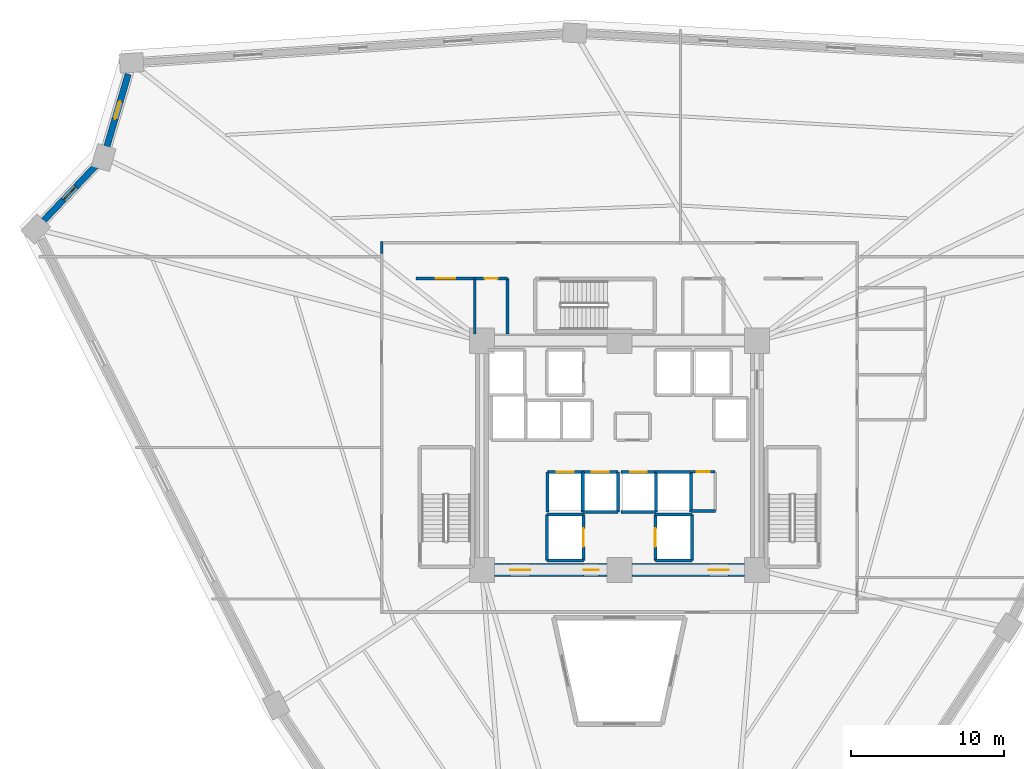
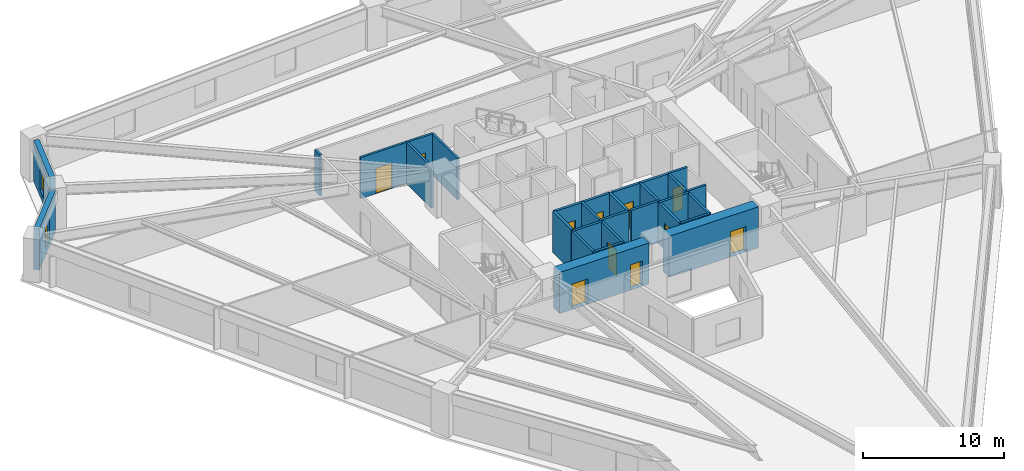
# One storey, part 4 of 8: 30 walls, 11 doors, 2 windows, 13 openings.
"""IFC4 building model written with IfcOpenShell, lengths in metres."""

from ifc_helpers import new_model, si_unit, direction, frame, frame_2d, origin, place, context, subcontext, project, spatial, rectangle, extrude, source, transform, mapped, material, layer, layer_set, type_object, element, fill, save


model = new_model("IFC4")

# Units and contexts
model_context = context("Model", 3, precision=1e-05, world=origin(), true_north=direction((0.0, 1.0)))
body_context = subcontext(model_context, "Body", "Model", "MODEL_VIEW")
ifc_project = project(units=[si_unit("LENGTHUNIT", "METRE"), si_unit("AREAUNIT", "SQUARE_METRE"), si_unit("VOLUMEUNIT", "CUBIC_METRE"), si_unit("PLANEANGLEUNIT", "RADIAN"), si_unit("MASSUNIT", "GRAM", prefix="KILO")], contexts=[model_context])

# Site, building, storey
site_placement = place(None, origin())
site = spatial("IfcSite", under=ifc_project, at=site_placement, CompositionType="ELEMENT")
building_placement = place(site_placement, origin())
building = spatial("IfcBuilding", under=site, at=building_placement, Name="Liaohun Quay Tower", CompositionType="ELEMENT")
storey_placement = place(building_placement, frame((0.0, 0.0, 66.75)))
storey = spatial("IfcBuildingStorey", under=building, at=storey_placement, Name="L17", CompositionType="ELEMENT", Elevation=66.75)

# Wall, opening, door
ifc_material_1 = material(Name="Concrete C60", Category="concrete")
ifc_layer_1 = layer(ifc_material_1, 0.85009765625, Name="Concrete C60", Category="concrete")
ifc_layer_set_1 = layer_set([ifc_layer_1], Name="Concrete C60")
wall_type_1 = type_object("IfcWallType", Name="WAL-COR-Z1", PredefinedType="SHEAR", material=ifc_layer_set_1)
wall_1_placement = place(storey_placement, frame((68.175048828125, 46.5, 0.0), z_axis=(0.0, 0.0, 1.0), x_axis=(-1.0, 0.0, 0.0)))
wall_1 = element("IfcWall", 1, at=wall_1_placement, inside=storey, type_object=wall_type_1, Name="L17 Central Core Shear Wall S-E", PredefinedType="SHEAR", context=body_context, shape_type="SweptSolid", body=[
    extrude(rectangle(XDim=7.35009765625, YDim=0.85009765625, at=frame_2d((3.675048828125, 0.0))), origin(), (0.0, 0.0, 1.0), 3.570068359375),
])
shared_shape_1 = source(origin(), body_context, "Body", "SweptSolid", [
    extrude(rectangle(XDim=1.300048828125, YDim=2.199951171875, at=frame_2d((0.64990234375, 1.10009765625))), frame((0.0, 0.43505859375, 0.0), z_axis=(0.0, -1.0, 0.0), x_axis=(1.0, 0.0, 0.0)), (0.0, 0.0, 1.0), 0.8701171875),
])
opening_1_placement = place(wall_1_placement, frame((1.02490234375, 0.0, 0.0)))
opening_1 = element("IfcOpeningElement", 2, at=opening_1_placement, cuts=wall_1, Name="Opening FD1", PredefinedType="OPENING", context=body_context, shape_type="MappedRepresentation", body=[
    mapped(shared_shape_1, transform((0.0, 0.0, 0.0), x_axis=(1.0, 0.0, 0.0), y_axis=(0.0, 1.0, 0.0), z_axis=(0.0, 0.0, 1.0), scale=1.0)),
])
ifc_material_2 = material(Name="Galvanised steel smokeproof fire door", Category="steel")
door_type_1 = type_object("IfcDoorType", Name="DOR-FFL-1300", OperationType="NOTDEFINED", PredefinedType="DOOR", material=ifc_material_2)
shared_shape_2 = source(origin(), body_context, "Body", "SweptSolid", [
    extrude(rectangle(XDim=1.300048828125, YDim=2.199951171875, at=frame_2d((0.64990234375, 1.10009765625))), frame((0.0, 0.02490234375, 0.0), z_axis=(0.0, -1.0, 0.0), x_axis=(1.0, 0.0, 0.0)), (0.0, 0.0, 1.0), 0.050048828125),
])
door_1_placement = place(opening_1_placement, origin())
door_1 = element("IfcDoor", 3, at=door_1_placement, inside=storey, type_object=door_type_1, Name="L17 East Core Lift Lobby Smokeproof Door", OperationType="SINGLE_SWING_LEFT", OverallHeight=2.199951171875, OverallWidth=1.300048828125, PredefinedType="DOOR", context=body_context, shape_type="MappedRepresentation", body=[
    mapped(shared_shape_2, transform((0.0, 0.0, 0.0), x_axis=(1.0, 0.0, 0.0), y_axis=(0.0, 1.0, 0.0), z_axis=(0.0, 0.0, 1.0), scale=1.0)),
])
fill(opening_1, door_1)

# Wall, openings, doors
wall_2_placement = place(storey_placement, frame((59.175048828125, 46.5, 0.0), z_axis=(0.0, 0.0, 1.0), x_axis=(-1.0, 0.0, 0.0)))
wall_2 = element("IfcWall", 4, at=wall_2_placement, inside=storey, type_object=wall_type_1, Name="L17 Central Core Shear Wall S-W", PredefinedType="SHEAR", context=body_context, shape_type="SweptSolid", body=[
    extrude(rectangle(XDim=7.35009765625, YDim=0.85009765625, at=frame_2d((3.675048828125, 0.0))), origin(), (0.0, 0.0, 1.0), 3.570068359375),
])
opening_2_placement = place(wall_2_placement, frame((5.02490234375, 0.0, 0.0)))
opening_2 = element("IfcOpeningElement", 5, at=opening_2_placement, cuts=wall_2, Name="Opening FD1", PredefinedType="OPENING", context=body_context, shape_type="MappedRepresentation", body=[
    mapped(shared_shape_1, transform((0.0, 0.0, 0.0), x_axis=(1.0, 0.0, 0.0), y_axis=(0.0, 1.0, 0.0), z_axis=(0.0, 0.0, 1.0), scale=1.0)),
])
shared_shape_3 = source(origin(), body_context, "Body", "SweptSolid", [
    extrude(rectangle(XDim=1.0, YDim=2.199951171875, at=frame_2d((0.5, 1.10009765625))), frame((0.0, 0.43505859375, 0.0), z_axis=(0.0, -1.0, 0.0), x_axis=(1.0, 0.0, 0.0)), (0.0, 0.0, 1.0), 0.8701171875),
])
opening_3_placement = place(wall_2_placement, frame((0.52490234375, 0.0, 0.0)))
opening_3 = element("IfcOpeningElement", 6, at=opening_3_placement, cuts=wall_2, Name="Opening FD2", PredefinedType="OPENING", context=body_context, shape_type="MappedRepresentation", body=[
    mapped(shared_shape_3, transform((0.0, 0.0, 0.0), x_axis=(1.0, 0.0, 0.0), y_axis=(0.0, 1.0, 0.0), z_axis=(0.0, 0.0, 1.0), scale=1.0)),
])
door_2_placement = place(opening_2_placement, origin())
door_2 = element("IfcDoor", 7, at=door_2_placement, inside=storey, type_object=door_type_1, Name="L17 West Core Lift Lobby Smokeproof Door", OperationType="SINGLE_SWING_RIGHT", OverallHeight=2.199951171875, OverallWidth=1.300048828125, PredefinedType="DOOR", context=body_context, shape_type="MappedRepresentation", body=[
    mapped(shared_shape_2, transform((0.0, 0.0, 0.0), x_axis=(1.0, 0.0, 0.0), y_axis=(0.0, 1.0, 0.0), z_axis=(0.0, 0.0, 1.0), scale=1.0)),
])
fill(opening_2, door_2)
ifc_material_3 = material(Name="Galvanised steel smokeproof lobby fire door", Category="steel")
door_type_2 = type_object("IfcDoorType", Name="DOR-FFL-1000", OperationType="NOTDEFINED", PredefinedType="DOOR", material=ifc_material_3)
shared_shape_4 = source(origin(), body_context, "Body", "SweptSolid", [
    extrude(rectangle(XDim=1.0, YDim=2.199951171875, at=frame_2d((0.5, 1.10009765625))), frame((0.0, 0.02490234375, 0.0), z_axis=(0.0, -1.0, 0.0), x_axis=(1.0, 0.0, 0.0)), (0.0, 0.0, 1.0), 0.050048828125),
])
door_3_placement = place(opening_3_placement, origin())
door_3 = element("IfcDoor", 8, at=door_3_placement, inside=storey, type_object=door_type_2, Name="L17 South Firefighting Lobby Smokeproof Door", OperationType="SINGLE_SWING_LEFT", OverallHeight=2.199951171875, OverallWidth=1.0, PredefinedType="DOOR", context=body_context, shape_type="MappedRepresentation", body=[
    mapped(shared_shape_4, transform((0.0, 0.0, 0.0), x_axis=(1.0, 0.0, 0.0), y_axis=(0.0, 1.0, 0.0), z_axis=(0.0, 0.0, 1.0), scale=1.0)),
])
fill(opening_3, door_3)

# Wall, opening, window
ifc_material_4 = material(Name="Precast concrete C50 insulated sandwich", Category="concrete")
ifc_layer_2 = layer(ifc_material_4, 0.419921875, Name="Precast concrete C50 insulated sandwich", Category="concrete")
ifc_layer_set_2 = layer_set([ifc_layer_2], Name="Precast concrete C50 insulated sandwich")
wall_type_2 = type_object("IfcWallType", Name="WAL-EXT-Z12", PredefinedType="SOLIDWALL", material=ifc_layer_set_2)
wall_3_placement = place(storey_placement, frame((27.85205078125, 78.950927734375, 0.0), z_axis=(0.0, 0.0, 1.0), x_axis=(-0.282877012636, -0.95915618943, 0.0)))
wall_3 = element("IfcWall", 9, at=wall_3_placement, inside=storey, type_object=wall_type_2, Name="L17 Brutalist Precast Pier Wall 08", PredefinedType="SOLIDWALL", context=body_context, shape_type="SweptSolid", body=[
    extrude(rectangle(XDim=4.927978515625, YDim=0.419921875, at=frame_2d((2.4638671875, 0.0))), origin(), (0.0, 0.0, 1.0), 3.570068359375),
])
shared_shape_5 = source(origin(), body_context, "Body", "SweptSolid", [
    extrude(rectangle(XDim=1.199951171875, YDim=1.89990234375, at=frame_2d((0.60009765625, 0.949951171875))), frame((0.0, 0.219970703125, 0.0), z_axis=(0.0, -1.0, 0.0), x_axis=(1.0, 0.0, 0.0)), (0.0, 0.0, 1.0), 0.43994140625),
])
opening_4_placement = place(wall_3_placement, frame((1.864013671875, 0.0, 0.550048828125)))
opening_4 = element("IfcOpeningElement", 10, at=opening_4_placement, cuts=wall_3, Name="Opening W05", PredefinedType="OPENING", context=body_context, shape_type="MappedRepresentation", body=[
    mapped(shared_shape_5, transform((0.0, 0.0, 0.0), x_axis=(1.0, 0.0, 0.0), y_axis=(0.0, 1.0, 0.0), z_axis=(0.0, 0.0, 1.0), scale=1.0)),
])
ifc_material_5 = material(Name="Triple Low-E corner notch glazing", Category="glass")
window_type = type_object("IfcWindowType", Name="WIN-NOTCH", PartitioningType="SINGLE_PANEL", PredefinedType="WINDOW", material=ifc_material_5)
shared_shape_6 = source(origin(), body_context, "Body", "SweptSolid", [
    extrude(rectangle(XDim=1.199951171875, YDim=1.89990234375, at=frame_2d((0.60009765625, 0.949951171875))), frame((0.0, 0.030029296875, 0.0), z_axis=(0.0, -1.0, 0.0), x_axis=(1.0, 0.0, 0.0)), (0.0, 0.0, 1.0), 0.06005859375),
])
window_1_placement = place(opening_4_placement, origin())
window_1 = element("IfcWindow", 11, at=window_1_placement, inside=storey, type_object=window_type, Name="L17 Corner Notch Window W05-08", OverallHeight=1.89990234375, OverallWidth=1.199951171875, PartitioningType="SINGLE_PANEL", PredefinedType="WINDOW", context=body_context, shape_type="MappedRepresentation", body=[
    mapped(shared_shape_6, transform((0.0, 0.0, 0.0), x_axis=(1.0, 0.0, 0.0), y_axis=(0.0, 1.0, 0.0), z_axis=(0.0, 0.0, 1.0), scale=1.0)),
])
fill(opening_4, window_1)

wall_4_placement = place(storey_placement, frame((25.715087890625, 72.93603515625, 0.0), z_axis=(0.0, 0.0, 1.0), x_axis=(-0.689226469502, -0.724545977656, 0.0)))
wall_4 = element("IfcWall", 12, at=wall_4_placement, inside=storey, type_object=wall_type_2, Name="L17 Brutalist Precast Pier Wall 09", PredefinedType="SOLIDWALL", context=body_context, shape_type="SweptSolid", body=[
    extrude(rectangle(XDim=4.921630859375, YDim=0.419921875, at=frame_2d((2.4609375, 0.0))), origin(), (0.0, 0.0, 1.0), 3.570068359375),
])
opening_5_placement = place(wall_4_placement, frame((1.861083984375, 0.0, 0.550048828125)))
opening_5 = element("IfcOpeningElement", 13, at=opening_5_placement, cuts=wall_4, Name="Opening W05", PredefinedType="OPENING", context=body_context, shape_type="MappedRepresentation", body=[
    mapped(shared_shape_5, transform((0.0, 0.0, 0.0), x_axis=(1.0, 0.0, 0.0), y_axis=(0.0, 1.0, 0.0), z_axis=(0.0, 0.0, 1.0), scale=1.0)),
])
window_2_placement = place(opening_5_placement, origin())
window_2 = element("IfcWindow", 14, at=window_2_placement, inside=storey, type_object=window_type, Name="L17 Corner Notch Window W05-09", OverallHeight=1.89990234375, OverallWidth=1.199951171875, PartitioningType="SINGLE_PANEL", PredefinedType="WINDOW", context=body_context, shape_type="MappedRepresentation", body=[
    mapped(shared_shape_6, transform((0.0, 0.0, 0.0), x_axis=(1.0, 0.0, 0.0), y_axis=(0.0, 1.0, 0.0), z_axis=(0.0, 0.0, 1.0), scale=1.0)),
])
fill(opening_5, window_2)

# Wall, opening, door
ifc_material_6 = material(Name="Autoclaved aerated concrete blockwork", Category="masonry")
ifc_layer_3 = layer(ifc_material_6, 0.179931640625, Name="Autoclaved aerated concrete blockwork", Category="masonry")
ifc_layer_set_3 = layer_set([ifc_layer_3], Name="Autoclaved aerated concrete blockwork")
wall_type_3 = type_object("IfcWallType", Name="WAL-PRT-COR", PredefinedType="PARTITIONING", material=ifc_layer_set_3)
wall_5_placement = place(storey_placement, frame((64.719970703125, 52.919921875, 0.0), z_axis=(0.0, 0.0, 1.0), x_axis=(1.0, 0.0, 0.0)))
wall_5 = element("IfcWall", 15, at=wall_5_placement, inside=storey, type_object=wall_type_3, Name="L17 Interior Partition Wall 002", PredefinedType="PARTITIONING", context=body_context, shape_type="SweptSolid", body=[
    extrude(rectangle(XDim=1.530029296875, YDim=0.179931640625, at=frame_2d((0.76513671875, 0.0))), origin(), (0.0, 0.0, 1.0), 3.570068359375),
])
shared_shape_7 = source(origin(), body_context, "Body", "SweptSolid", [
    extrude(rectangle(XDim=0.85009765625, YDim=2.10009765625, at=frame_2d((0.425048828125, 1.050048828125))), frame((0.0, 0.099853515625, 0.0), z_axis=(0.0, -1.0, 0.0), x_axis=(1.0, 0.0, 0.0)), (0.0, 0.0, 1.0), 0.199951171875),
])
opening_6_placement = place(wall_5_placement, frame((0.340087890625, 0.0, 0.0)))
opening_6 = element("IfcOpeningElement", 16, at=opening_6_placement, cuts=wall_5, Name="Opening AD1", PredefinedType="OPENING", context=body_context, shape_type="MappedRepresentation", body=[
    mapped(shared_shape_7, transform((0.0, 0.0, 0.0), x_axis=(1.0, 0.0, 0.0), y_axis=(0.0, 1.0, 0.0), z_axis=(0.0, 0.0, 1.0), scale=1.0)),
])
ifc_material_7 = material(Name="Steel riser inspection fire door", Category="steel")
door_type_3 = type_object("IfcDoorType", Name="DOR-SHF-850", OperationType="NOTDEFINED", PredefinedType="DOOR", material=ifc_material_7)
shared_shape_8 = source(origin(), body_context, "Body", "SweptSolid", [
    extrude(rectangle(XDim=0.85009765625, YDim=2.10009765625, at=frame_2d((0.425048828125, 1.050048828125))), frame((0.0, 0.02490234375, 0.0), z_axis=(0.0, -1.0, 0.0), x_axis=(1.0, 0.0, 0.0)), (0.0, 0.0, 1.0), 0.050048828125),
])
door_4_placement = place(opening_6_placement, origin())
door_4 = element("IfcDoor", 17, at=door_4_placement, inside=storey, type_object=door_type_3, Name="L17 BMS Data Riser Room Door", OperationType="SINGLE_SWING_RIGHT", OverallHeight=2.10009765625, OverallWidth=0.85009765625, PredefinedType="DOOR", context=body_context, shape_type="MappedRepresentation", body=[
    mapped(shared_shape_8, transform((0.0, 0.0, 0.0), x_axis=(1.0, 0.0, 0.0), y_axis=(0.0, 1.0, 0.0), z_axis=(0.0, 0.0, 1.0), scale=1.0)),
])
fill(opening_6, door_4)

wall_6_placement = place(storey_placement, frame((50.5400390625, 65.580078125, 0.0), z_axis=(0.0, 0.0, 1.0), x_axis=(1.0, 0.0, 0.0)))
wall_6 = element("IfcWall", 18, at=wall_6_placement, inside=storey, type_object=wall_type_3, Name="L17 Interior Partition Wall 006", PredefinedType="PARTITIONING", context=body_context, shape_type="SweptSolid", body=[
    extrude(rectangle(XDim=2.139892578125, YDim=0.179931640625, at=frame_2d((1.06982421875, 0.0))), origin(), (0.0, 0.0, 1.0), 3.570068359375),
])
opening_7_placement = place(wall_6_placement, frame((0.64501953125, 0.0, 0.0)))
opening_7 = element("IfcOpeningElement", 19, at=opening_7_placement, cuts=wall_6, Name="Opening AD1", PredefinedType="OPENING", context=body_context, shape_type="MappedRepresentation", body=[
    mapped(shared_shape_7, transform((0.0, 0.0, 0.0), x_axis=(1.0, 0.0, 0.0), y_axis=(0.0, 1.0, 0.0), z_axis=(0.0, 0.0, 1.0), scale=1.0)),
])
door_5_placement = place(opening_7_placement, origin())
door_5 = element("IfcDoor", 20, at=door_5_placement, inside=storey, type_object=door_type_3, Name="L17 North-West Supply Store Door", OperationType="SINGLE_SWING_RIGHT", OverallHeight=2.10009765625, OverallWidth=0.85009765625, PredefinedType="DOOR", context=body_context, shape_type="MappedRepresentation", body=[
    mapped(shared_shape_8, transform((0.0, 0.0, 0.0), x_axis=(1.0, 0.0, 0.0), y_axis=(0.0, 1.0, 0.0), z_axis=(0.0, 0.0, 1.0), scale=1.0)),
])
fill(opening_7, door_5)

wall_7_placement = place(storey_placement, frame((46.699951171875, 65.580078125, 0.0), z_axis=(0.0, 0.0, 1.0), x_axis=(1.0, 0.0, 0.0)))
wall_7 = element("IfcWall", 21, at=wall_7_placement, inside=storey, type_object=wall_type_3, Name="L17 Interior Partition Wall 008", PredefinedType="PARTITIONING", context=body_context, shape_type="SweptSolid", body=[
    extrude(rectangle(XDim=3.840087890625, YDim=0.179931640625, at=frame_2d((1.919921875, 0.0))), origin(), (0.0, 0.0, 1.0), 3.570068359375),
])
shared_shape_9 = source(origin(), body_context, "Body", "SweptSolid", [
    extrude(rectangle(XDim=1.300048828125, YDim=2.199951171875, at=frame_2d((0.64990234375, 1.10009765625))), frame((0.0, 0.099853515625, 0.0), z_axis=(0.0, -1.0, 0.0), x_axis=(1.0, 0.0, 0.0)), (0.0, 0.0, 1.0), 0.199951171875),
])
opening_8_placement = place(wall_7_placement, frame((1.27001953125, 0.0, 0.0)))
opening_8 = element("IfcOpeningElement", 22, at=opening_8_placement, cuts=wall_7, Name="Opening FD1", PredefinedType="OPENING", context=body_context, shape_type="MappedRepresentation", body=[
    mapped(shared_shape_9, transform((0.0, 0.0, 0.0), x_axis=(1.0, 0.0, 0.0), y_axis=(0.0, 1.0, 0.0), z_axis=(0.0, 0.0, 1.0), scale=1.0)),
])
door_6_placement = place(opening_8_placement, origin())
door_6 = element("IfcDoor", 23, at=door_6_placement, inside=storey, type_object=door_type_1, Name="L17 West Core Vestibule Door", OperationType="SINGLE_SWING_RIGHT", OverallHeight=2.199951171875, OverallWidth=1.300048828125, PredefinedType="DOOR", context=body_context, shape_type="MappedRepresentation", body=[
    mapped(shared_shape_2, transform((0.0, 0.0, 0.0), x_axis=(1.0, 0.0, 0.0), y_axis=(0.0, 1.0, 0.0), z_axis=(0.0, 0.0, 1.0), scale=1.0)),
])
fill(opening_8, door_6)

# Walls
wall_8_placement = place(storey_placement, frame((64.68994140625, 50.35009765625, 0.0), z_axis=(0.0, 0.0, 1.0), x_axis=(1.0, 0.0, 0.0)))
element("IfcWall", 24, at=wall_8_placement, inside=storey, type_object=wall_type_3, Name="L17 Interior Partition Wall 020", PredefinedType="PARTITIONING", context=body_context, shape_type="SweptSolid", body=[
    extrude(rectangle(XDim=1.590087890625, YDim=0.179931640625, at=frame_2d((0.794921875, 0.0))), origin(), (0.0, 0.0, 1.0), 3.570068359375),
])
for number, where, z_axis, x_axis, name in (
    (25, (50.5400390625, 61.949951171875, 0.0), (0.0, 0.0, 1.0), (0.0, 1.0, 0.0), "L17 Interior Partition Wall 027"),
    (26, (52.679931640625, 61.949951171875, 0.0), (0.0, 0.0, 1.0), (0.0, 1.0, 0.0), "L17 Interior Partition Wall 028"),
):
    element("IfcWall", number, at=place(storey_placement, frame(where, z_axis=z_axis, x_axis=x_axis)), inside=storey, type_object=wall_type_3, Name=name, PredefinedType="PARTITIONING", context=body_context, shape_type="SweptSolid", body=[
        extrude(rectangle(XDim=3.630126953125, YDim=0.179931640625, at=frame_2d((1.81494140625, 0.0))), origin(), (0.0, 0.0, 1.0), 3.570068359375),
    ])
wall_9_placement = place(storey_placement, frame((44.43994140625, 67.215087890625, 0.0), z_axis=(0.0, 0.0, 1.0), x_axis=(0.0, 1.0, 0.0)))
element("IfcWall", 27, at=wall_9_placement, inside=storey, type_object=wall_type_3, Name="L17 Interior Partition Wall 033", PredefinedType="PARTITIONING", context=body_context, shape_type="SweptSolid", body=[
    extrude(rectangle(XDim=0.764892578125, YDim=0.179931640625, at=frame_2d((0.38232421875, 0.0))), origin(), (0.0, 0.0, 1.0), 3.570068359375),
])
ifc_material_8 = material(Name="Concrete C50", Category="concrete")
ifc_layer_4 = layer(ifc_material_8, 0.239990234375, Name="Concrete C50", Category="concrete")
ifc_layer_set_4 = layer_set([ifc_layer_4], Name="Concrete C50")
wall_type_4 = type_object("IfcWallType", Name="WAL-SHF-200", PredefinedType="SOLIDWALL", material=ifc_layer_set_4)
wall_10_placement = place(storey_placement, frame((55.25, 47.1201171875, 0.0), z_axis=(0.0, 0.0, 1.0), x_axis=(1.0, 0.0, 0.0)))
element("IfcWall", 28, at=wall_10_placement, inside=storey, type_object=wall_type_4, Name="L17 Lift FF-01 Hoistway Wall S", PredefinedType="SOLIDWALL", context=body_context, shape_type="SweptSolid", body=[
    extrude(rectangle(XDim=2.39990234375, YDim=0.199951171875, at=frame_2d((1.199951171875, 0.0))), origin(), (0.0, 0.0, 1.0), 3.570068359375),
])

# Wall, opening, door
wall_11_placement = place(storey_placement, frame((57.64990234375, 47.1201171875, 0.0), z_axis=(0.0, 0.0, 1.0), x_axis=(0.0, 1.0, 0.0)))
wall_11 = element("IfcWall", 29, at=wall_11_placement, inside=storey, type_object=wall_type_4, Name="L17 Lift FF-01 Hoistway Wall E", PredefinedType="SOLIDWALL", context=body_context, shape_type="SweptSolid", body=[
    extrude(rectangle(XDim=3.0, YDim=0.199951171875, at=frame_2d((1.5, 0.0))), origin(), (0.0, 0.0, 1.0), 3.570068359375),
])
shared_shape_10 = source(origin(), body_context, "Body", "SweptSolid", [
    extrude(rectangle(XDim=1.199951171875, YDim=2.300048828125, at=frame_2d((0.60009765625, 1.14990234375))), frame((0.0, 0.10986328125, 0.0), z_axis=(0.0, -1.0, 0.0), x_axis=(1.0, 0.0, 0.0)), (0.0, 0.0, 1.0), 0.219970703125),
])
opening_9_placement = place(wall_11_placement, frame((0.89990234375, 0.0, 0.0)))
opening_9 = element("IfcOpeningElement", 30, at=opening_9_placement, cuts=wall_11, Name="Opening LD2", PredefinedType="OPENING", context=body_context, shape_type="MappedRepresentation", body=[
    mapped(shared_shape_10, transform((0.0, 0.0, 0.0), x_axis=(1.0, 0.0, 0.0), y_axis=(0.0, 1.0, 0.0), z_axis=(0.0, 0.0, 1.0), scale=1.0)),
])
ifc_material_9 = material(Name="Brushed stainless steel stretcher landing door", Category="steel")
door_type_4 = type_object("IfcDoorType", Name="DOR-LFT-1200", OperationType="SLIDING_TO_LEFT", PredefinedType="DOOR", material=ifc_material_9)
shared_shape_11 = source(origin(), body_context, "Body", "SweptSolid", [
    extrude(rectangle(XDim=1.199951171875, YDim=2.300048828125, at=frame_2d((0.60009765625, 1.14990234375))), frame((0.0, 0.02490234375, 0.0), z_axis=(0.0, -1.0, 0.0), x_axis=(1.0, 0.0, 0.0)), (0.0, 0.0, 1.0), 0.050048828125),
])
door_7_placement = place(opening_9_placement, origin())
door_7 = element("IfcDoor", 31, at=door_7_placement, inside=storey, type_object=door_type_4, Name="L17 Lift FF-01 Sliding Landing Door", OperationType="SLIDING_TO_LEFT", OverallHeight=2.300048828125, OverallWidth=1.199951171875, PredefinedType="DOOR", context=body_context, shape_type="MappedRepresentation", body=[
    mapped(shared_shape_11, transform((0.0, 0.0, 0.0), x_axis=(1.0, 0.0, 0.0), y_axis=(0.0, 1.0, 0.0), z_axis=(0.0, 0.0, 1.0), scale=1.0)),
])
fill(opening_9, door_7)

# Walls
wall_12_placement = place(storey_placement, frame((57.64990234375, 50.1201171875, 0.0), z_axis=(0.0, 0.0, 1.0), x_axis=(-1.0, 0.0, 0.0)))
element("IfcWall", 32, at=wall_12_placement, inside=storey, type_object=wall_type_4, Name="L17 Lift FF-01 Hoistway Wall N", PredefinedType="SOLIDWALL", context=body_context, shape_type="SweptSolid", body=[
    extrude(rectangle(XDim=2.39990234375, YDim=0.199951171875, at=frame_2d((1.199951171875, 0.0))), origin(), (0.0, 0.0, 1.0), 3.570068359375),
])
wall_13_placement = place(storey_placement, frame((55.25, 50.1201171875, 0.0), z_axis=(0.0, 0.0, 1.0), x_axis=(0.0, -1.0, 0.0)))
element("IfcWall", 33, at=wall_13_placement, inside=storey, type_object=wall_type_4, Name="L17 Lift FF-01 Hoistway Wall W", PredefinedType="SOLIDWALL", context=body_context, shape_type="SweptSolid", body=[
    extrude(rectangle(XDim=3.0, YDim=0.199951171875, at=frame_2d((1.5, 0.0))), origin(), (0.0, 0.0, 1.0), 3.570068359375),
])
wall_14_placement = place(storey_placement, frame((62.35009765625, 47.1201171875, 0.0), z_axis=(0.0, 0.0, 1.0), x_axis=(1.0, 0.0, 0.0)))
element("IfcWall", 34, at=wall_14_placement, inside=storey, type_object=wall_type_4, Name="L17 Lift FF-02 Hoistway Wall S", PredefinedType="SOLIDWALL", context=body_context, shape_type="SweptSolid", body=[
    extrude(rectangle(XDim=2.39990234375, YDim=0.199951171875, at=frame_2d((1.199951171875, 0.0))), origin(), (0.0, 0.0, 1.0), 3.570068359375),
])
wall_15_placement = place(storey_placement, frame((64.75, 47.1201171875, 0.0), z_axis=(0.0, 0.0, 1.0), x_axis=(0.0, 1.0, 0.0)))
element("IfcWall", 35, at=wall_15_placement, inside=storey, type_object=wall_type_4, Name="L17 Lift FF-02 Hoistway Wall E", PredefinedType="SOLIDWALL", context=body_context, shape_type="SweptSolid", body=[
    extrude(rectangle(XDim=3.0, YDim=0.199951171875, at=frame_2d((1.5, 0.0))), origin(), (0.0, 0.0, 1.0), 3.570068359375),
])
wall_16_placement = place(storey_placement, frame((64.75, 50.1201171875, 0.0), z_axis=(0.0, 0.0, 1.0), x_axis=(-1.0, 0.0, 0.0)))
element("IfcWall", 36, at=wall_16_placement, inside=storey, type_object=wall_type_4, Name="L17 Lift FF-02 Hoistway Wall N", PredefinedType="SOLIDWALL", context=body_context, shape_type="SweptSolid", body=[
    extrude(rectangle(XDim=2.39990234375, YDim=0.199951171875, at=frame_2d((1.199951171875, 0.0))), origin(), (0.0, 0.0, 1.0), 3.570068359375),
])

# Wall, opening, door
wall_17_placement = place(storey_placement, frame((62.35009765625, 50.1201171875, 0.0), z_axis=(0.0, 0.0, 1.0), x_axis=(0.0, -1.0, 0.0)))
wall_17 = element("IfcWall", 37, at=wall_17_placement, inside=storey, type_object=wall_type_4, Name="L17 Lift FF-02 Hoistway Wall W", PredefinedType="SOLIDWALL", context=body_context, shape_type="SweptSolid", body=[
    extrude(rectangle(XDim=3.0, YDim=0.199951171875, at=frame_2d((1.5, 0.0))), origin(), (0.0, 0.0, 1.0), 3.570068359375),
])
opening_10_placement = place(wall_17_placement, frame((0.89990234375, 0.0, 0.0)))
opening_10 = element("IfcOpeningElement", 38, at=opening_10_placement, cuts=wall_17, Name="Opening LD2", PredefinedType="OPENING", context=body_context, shape_type="MappedRepresentation", body=[
    mapped(shared_shape_10, transform((0.0, 0.0, 0.0), x_axis=(1.0, 0.0, 0.0), y_axis=(0.0, 1.0, 0.0), z_axis=(0.0, 0.0, 1.0), scale=1.0)),
])
door_8_placement = place(opening_10_placement, origin())
door_8 = element("IfcDoor", 39, at=door_8_placement, inside=storey, type_object=door_type_4, Name="L17 Lift FF-02 Sliding Landing Door", OperationType="SLIDING_TO_LEFT", OverallHeight=2.300048828125, OverallWidth=1.199951171875, PredefinedType="DOOR", context=body_context, shape_type="MappedRepresentation", body=[
    mapped(shared_shape_11, transform((0.0, 0.0, 0.0), x_axis=(1.0, 0.0, 0.0), y_axis=(0.0, 1.0, 0.0), z_axis=(0.0, 0.0, 1.0), scale=1.0)),
])
fill(opening_10, door_8)

# Wall
wall_18_placement = place(storey_placement, frame((57.60009765625, 50.300048828125, 0.0), z_axis=(0.0, 0.0, 1.0), x_axis=(0.0, 1.0, 0.0)))
element("IfcWall", 40, at=wall_18_placement, inside=storey, type_object=wall_type_4, Name="L17 Lift PL-1A Hoistway Wall E", PredefinedType="SOLIDWALL", context=body_context, shape_type="SweptSolid", body=[
    extrude(rectangle(XDim=2.599853515625, YDim=0.199951171875, at=frame_2d((1.2998046875, 0.0))), origin(), (0.0, 0.0, 1.0), 3.570068359375),
])

# Wall, opening, door
wall_19_placement = place(storey_placement, frame((57.60009765625, 52.89990234375, 0.0), z_axis=(0.0, 0.0, 1.0), x_axis=(-1.0, 0.0, 0.0)))
wall_19 = element("IfcWall", 41, at=wall_19_placement, inside=storey, type_object=wall_type_4, Name="L17 Lift PL-1A Hoistway Wall N", PredefinedType="SOLIDWALL", context=body_context, shape_type="SweptSolid", body=[
    extrude(rectangle(XDim=2.300048828125, YDim=0.199951171875, at=frame_2d((1.14990234375, 0.0))), origin(), (0.0, 0.0, 1.0), 3.570068359375),
])
shared_shape_12 = source(origin(), body_context, "Body", "SweptSolid", [
    extrude(rectangle(XDim=1.10009765625, YDim=2.199951171875, at=frame_2d((0.550048828125, 1.10009765625))), frame((0.0, 0.10986328125, 0.0), z_axis=(0.0, -1.0, 0.0), x_axis=(1.0, 0.0, 0.0)), (0.0, 0.0, 1.0), 0.219970703125),
])
opening_11_placement = place(wall_19_placement, frame((0.60009765625, 0.0, 0.0)))
opening_11 = element("IfcOpeningElement", 42, at=opening_11_placement, cuts=wall_19, Name="Opening LD1", PredefinedType="OPENING", context=body_context, shape_type="MappedRepresentation", body=[
    mapped(shared_shape_12, transform((0.0, 0.0, 0.0), x_axis=(1.0, 0.0, 0.0), y_axis=(0.0, 1.0, 0.0), z_axis=(0.0, 0.0, 1.0), scale=1.0)),
])
ifc_material_10 = material(Name="Brushed stainless steel landing door", Category="steel")
door_type_5 = type_object("IfcDoorType", Name="DOR-LFT-1100", OperationType="SLIDING_TO_LEFT", PredefinedType="DOOR", material=ifc_material_10)
shared_shape_13 = source(origin(), body_context, "Body", "SweptSolid", [
    extrude(rectangle(XDim=1.10009765625, YDim=2.199951171875, at=frame_2d((0.550048828125, 1.10009765625))), frame((0.0, 0.02490234375, 0.0), z_axis=(0.0, -1.0, 0.0), x_axis=(1.0, 0.0, 0.0)), (0.0, 0.0, 1.0), 0.050048828125),
])
door_9_placement = place(opening_11_placement, origin())
door_9 = element("IfcDoor", 43, at=door_9_placement, inside=storey, type_object=door_type_5, Name="L17 Lift PL-1A Sliding Landing Door", OperationType="SLIDING_TO_LEFT", OverallHeight=2.199951171875, OverallWidth=1.10009765625, PredefinedType="DOOR", context=body_context, shape_type="MappedRepresentation", body=[
    mapped(shared_shape_13, transform((0.0, 0.0, 0.0), x_axis=(1.0, 0.0, 0.0), y_axis=(0.0, 1.0, 0.0), z_axis=(0.0, 0.0, 1.0), scale=1.0)),
])
fill(opening_11, door_9)

# Walls
wall_20_placement = place(storey_placement, frame((55.300048828125, 52.89990234375, 0.0), z_axis=(0.0, 0.0, 1.0), x_axis=(0.0, -1.0, 0.0)))
element("IfcWall", 44, at=wall_20_placement, inside=storey, type_object=wall_type_4, Name="L17 Lift PL-1A Hoistway Wall W", PredefinedType="SOLIDWALL", context=body_context, shape_type="SweptSolid", body=[
    extrude(rectangle(XDim=2.599853515625, YDim=0.199951171875, at=frame_2d((1.2998046875, 0.0))), origin(), (0.0, 0.0, 1.0), 3.570068359375),
])
wall_21_placement = place(storey_placement, frame((57.60009765625, 50.300048828125, 0.0), z_axis=(0.0, 0.0, 1.0), x_axis=(1.0, 0.0, 0.0)))
element("IfcWall", 45, at=wall_21_placement, inside=storey, type_object=wall_type_4, Name="L17 Lift PL-1B Hoistway Wall S", PredefinedType="SOLIDWALL", context=body_context, shape_type="SweptSolid", body=[
    extrude(rectangle(XDim=2.2998046875, YDim=0.199951171875, at=frame_2d((1.14990234375, 0.0))), origin(), (0.0, 0.0, 1.0), 3.570068359375),
])
wall_22_placement = place(storey_placement, frame((59.89990234375, 50.300048828125, 0.0), z_axis=(0.0, 0.0, 1.0), x_axis=(0.0, 1.0, 0.0)))
element("IfcWall", 46, at=wall_22_placement, inside=storey, type_object=wall_type_4, Name="L17 Lift PL-1B Hoistway Wall E", PredefinedType="SOLIDWALL", context=body_context, shape_type="SweptSolid", body=[
    extrude(rectangle(XDim=2.599853515625, YDim=0.199951171875, at=frame_2d((1.2998046875, 0.0))), origin(), (0.0, 0.0, 1.0), 3.570068359375),
])

# Wall, opening, door
wall_23_placement = place(storey_placement, frame((59.89990234375, 52.89990234375, 0.0), z_axis=(0.0, 0.0, 1.0), x_axis=(-1.0, 0.0, 0.0)))
wall_23 = element("IfcWall", 47, at=wall_23_placement, inside=storey, type_object=wall_type_4, Name="L17 Lift PL-1B Hoistway Wall N", PredefinedType="SOLIDWALL", context=body_context, shape_type="SweptSolid", body=[
    extrude(rectangle(XDim=2.2998046875, YDim=0.199951171875, at=frame_2d((1.14990234375, 0.0))), origin(), (0.0, 0.0, 1.0), 3.570068359375),
])
opening_12_placement = place(wall_23_placement, frame((0.60009765625, 0.0, 0.0)))
opening_12 = element("IfcOpeningElement", 48, at=opening_12_placement, cuts=wall_23, Name="Opening LD1", PredefinedType="OPENING", context=body_context, shape_type="MappedRepresentation", body=[
    mapped(shared_shape_12, transform((0.0, 0.0, 0.0), x_axis=(1.0, 0.0, 0.0), y_axis=(0.0, 1.0, 0.0), z_axis=(0.0, 0.0, 1.0), scale=1.0)),
])
door_10_placement = place(opening_12_placement, origin())
door_10 = element("IfcDoor", 49, at=door_10_placement, inside=storey, type_object=door_type_5, Name="L17 Lift PL-1B Sliding Landing Door", OperationType="SLIDING_TO_LEFT", OverallHeight=2.199951171875, OverallWidth=1.10009765625, PredefinedType="DOOR", context=body_context, shape_type="MappedRepresentation", body=[
    mapped(shared_shape_13, transform((0.0, 0.0, 0.0), x_axis=(1.0, 0.0, 0.0), y_axis=(0.0, 1.0, 0.0), z_axis=(0.0, 0.0, 1.0), scale=1.0)),
])
fill(opening_12, door_10)

# Walls
wall_24_placement = place(storey_placement, frame((60.10009765625, 50.300048828125, 0.0), z_axis=(0.0, 0.0, 1.0), x_axis=(1.0, 0.0, 0.0)))
element("IfcWall", 50, at=wall_24_placement, inside=storey, type_object=wall_type_4, Name="L17 Lift PL-1C Hoistway Wall S", PredefinedType="SOLIDWALL", context=body_context, shape_type="SweptSolid", body=[
    extrude(rectangle(XDim=2.2998046875, YDim=0.199951171875, at=frame_2d((1.14990234375, 0.0))), origin(), (0.0, 0.0, 1.0), 3.570068359375),
])
wall_25_placement = place(storey_placement, frame((62.39990234375, 50.300048828125, 0.0), z_axis=(0.0, 0.0, 1.0), x_axis=(0.0, 1.0, 0.0)))
element("IfcWall", 51, at=wall_25_placement, inside=storey, type_object=wall_type_4, Name="L17 Lift PL-1C Hoistway Wall E", PredefinedType="SOLIDWALL", context=body_context, shape_type="SweptSolid", body=[
    extrude(rectangle(XDim=2.599853515625, YDim=0.199951171875, at=frame_2d((1.2998046875, 0.0))), origin(), (0.0, 0.0, 1.0), 3.570068359375),
])

# Wall, opening, door
wall_26_placement = place(storey_placement, frame((62.39990234375, 52.89990234375, 0.0), z_axis=(0.0, 0.0, 1.0), x_axis=(-1.0, 0.0, 0.0)))
wall_26 = element("IfcWall", 52, at=wall_26_placement, inside=storey, type_object=wall_type_4, Name="L17 Lift PL-1C Hoistway Wall N", PredefinedType="SOLIDWALL", context=body_context, shape_type="SweptSolid", body=[
    extrude(rectangle(XDim=2.2998046875, YDim=0.199951171875, at=frame_2d((1.14990234375, 0.0))), origin(), (0.0, 0.0, 1.0), 3.570068359375),
])
opening_13_placement = place(wall_26_placement, frame((0.60009765625, 0.0, 0.0)))
opening_13 = element("IfcOpeningElement", 53, at=opening_13_placement, cuts=wall_26, Name="Opening LD1", PredefinedType="OPENING", context=body_context, shape_type="MappedRepresentation", body=[
    mapped(shared_shape_12, transform((0.0, 0.0, 0.0), x_axis=(1.0, 0.0, 0.0), y_axis=(0.0, 1.0, 0.0), z_axis=(0.0, 0.0, 1.0), scale=1.0)),
])
door_11_placement = place(opening_13_placement, origin())
door_11 = element("IfcDoor", 54, at=door_11_placement, inside=storey, type_object=door_type_5, Name="L17 Lift PL-1C Sliding Landing Door", OperationType="SLIDING_TO_LEFT", OverallHeight=2.199951171875, OverallWidth=1.10009765625, PredefinedType="DOOR", context=body_context, shape_type="MappedRepresentation", body=[
    mapped(shared_shape_13, transform((0.0, 0.0, 0.0), x_axis=(1.0, 0.0, 0.0), y_axis=(0.0, 1.0, 0.0), z_axis=(0.0, 0.0, 1.0), scale=1.0)),
])
fill(opening_13, door_11)

# Walls
wall_27_placement = place(storey_placement, frame((64.699951171875, 50.300048828125, 0.0), z_axis=(0.0, 0.0, 1.0), x_axis=(0.0, 1.0, 0.0)))
element("IfcWall", 55, at=wall_27_placement, inside=storey, type_object=wall_type_4, Name="L17 Lift PL-2A Hoistway Wall E", PredefinedType="SOLIDWALL", context=body_context, shape_type="SweptSolid", body=[
    extrude(rectangle(XDim=2.599853515625, YDim=0.199951171875, at=frame_2d((1.2998046875, 0.0))), origin(), (0.0, 0.0, 1.0), 3.570068359375),
])
wall_28_placement = place(storey_placement, frame((64.699951171875, 52.89990234375, 0.0), z_axis=(0.0, 0.0, 1.0), x_axis=(-1.0, 0.0, 0.0)))
element("IfcWall", 56, at=wall_28_placement, inside=storey, type_object=wall_type_4, Name="L17 Lift PL-2A Hoistway Wall N", PredefinedType="SOLIDWALL", context=body_context, shape_type="SweptSolid", body=[
    extrude(rectangle(XDim=2.300048828125, YDim=0.199951171875, at=frame_2d((1.14990234375, 0.0))), origin(), (0.0, 0.0, 1.0), 3.570068359375),
])

save(model, "model.ifc")
